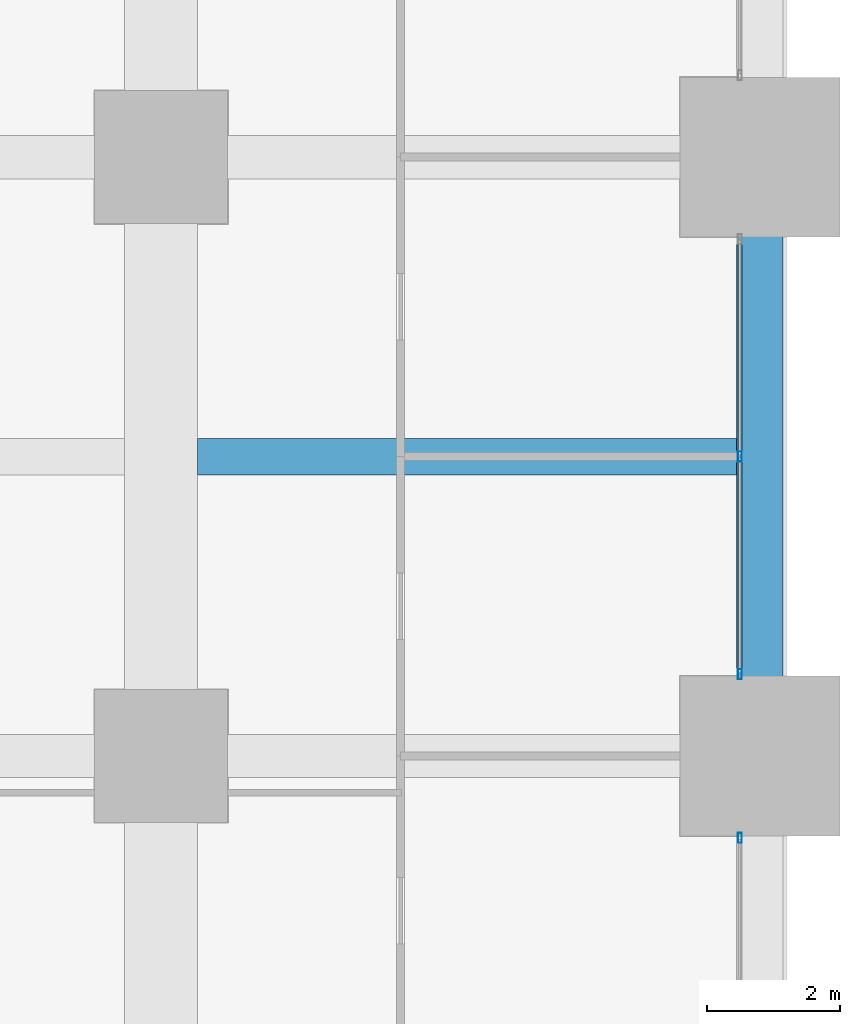
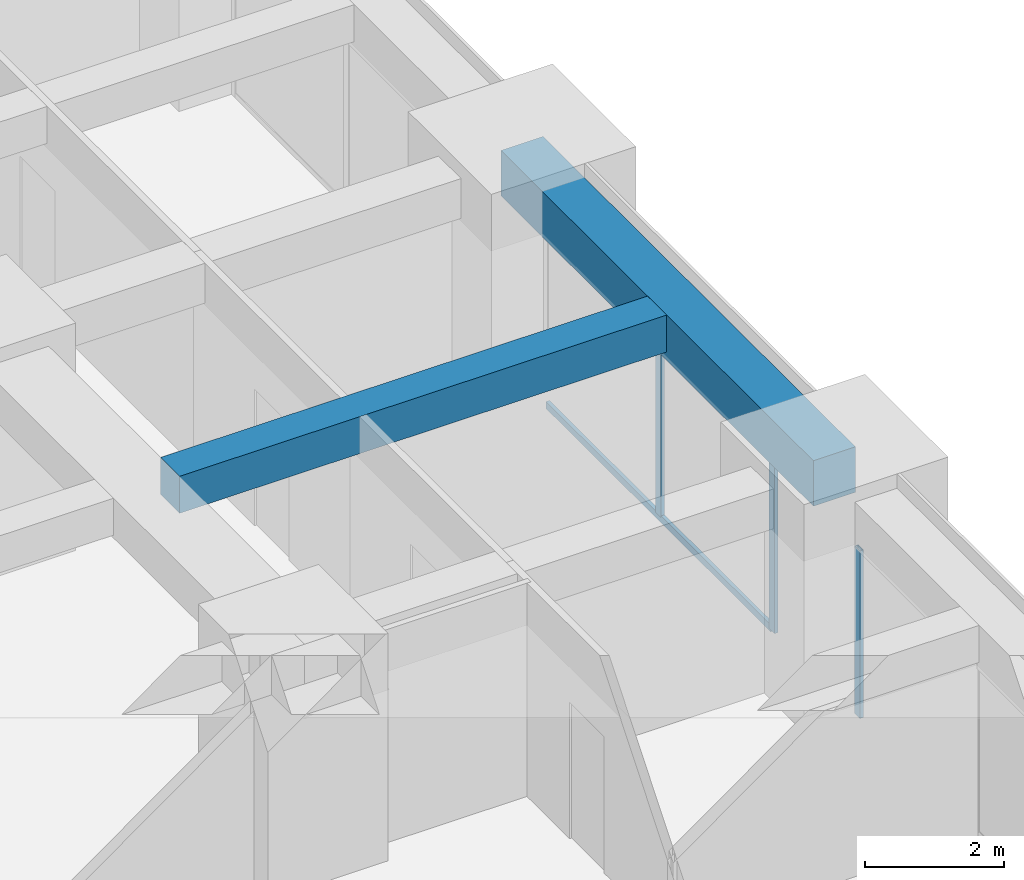
# One storey, part 21 of 41: 4 members, 2 beams, 2 elements without a shape of their own.
"""IFC4 building model written with IfcOpenShell, lengths in metres."""

from ifc_helpers import new_model, si_unit, direction, frame, origin, origin_2d, place, context, subcontext, project, spatial, rectangle, hollow_rectangle, extrude, material, material_profile, profile_set, type_object, element, aggregate, save


model = new_model("IFC4")

# Units and contexts
model_context = context("Model", 3, precision=1e-05, world=origin(), true_north=direction((0.0, 1.0)))
body_context = subcontext(model_context, "Body", "Model", "MODEL_VIEW")
ifc_project = project(units=[si_unit("LENGTHUNIT", "METRE"), si_unit("AREAUNIT", "SQUARE_METRE"), si_unit("VOLUMEUNIT", "CUBIC_METRE"), si_unit("PLANEANGLEUNIT", "RADIAN"), si_unit("MASSUNIT", "GRAM", prefix="KILO")], contexts=[model_context])

# Site, building, storey
site_placement = place(None, origin())
site = spatial("IfcSite", under=ifc_project, at=site_placement, CompositionType="ELEMENT")
building_placement = place(site_placement, origin())
building = spatial("IfcBuilding", under=site, at=building_placement, Name="Zorevar Civic Tower", CompositionType="ELEMENT")
storey_placement = place(building_placement, frame((0.0, 0.0, 109.0)))
storey = spatial("IfcBuildingStorey", under=building, at=storey_placement, Name="L26", CompositionType="ELEMENT", Elevation=109.0)

# Beam
ifc_material_1 = material(Name="Concrete C50/60", Category="concrete")
ifc_material_profile_1 = material_profile(ifc_material_1, rectangle(XDim=0.550048828125, YDim=0.64990234375, at=origin_2d()), Name="RC 550x650")
ifc_profile_set_1 = profile_set([ifc_material_profile_1], Name="Concrete C50/60")
beam_type_1 = type_object("IfcBeamType", Name="Beam RC 550x650", PredefinedType="BEAM", material=ifc_profile_set_1)
beam_1_placement = place(storey_placement, frame((54.550048828125, 22.5, 3.425048828125), z_axis=(1.0, 0.0, 0.0), x_axis=(0.0, 1.0, 0.0)))
element("IfcBeam", 1, at=beam_1_placement, inside=storey, type_object=beam_type_1, Name="Secondary beam L27", PredefinedType="BEAM", context=body_context, shape_type="SweptSolid", body=[
    extrude(rectangle(XDim=0.550048828125, YDim=0.64990234375, at=origin_2d()), origin(), (0.0, 0.0, 1.0), 8.099853515625),
])

# Curtain wall, member
ifc_material_2 = material(Name="Dark grey solar-control glass in black aluminium frame", Category="aluminium")
curtain_wall_type = type_object("IfcCurtainWallType", Name="Curtain wall CW3 mid zone", PredefinedType="NOTDEFINED", material=ifc_material_2)
curtain_wall_1_placement = place(storey_placement, origin())
curtain_wall_1 = element("IfcCurtainWall", 2, at=curtain_wall_1_placement, inside=storey, type_object=curtain_wall_type, Name="CW3 L26", PredefinedType="NOTDEFINED")
ifc_material_3 = material(Name="Aluminium, black anodised", Category="aluminium")
ifc_material_profile_2 = material_profile(ifc_material_3, hollow_rectangle(XDim=0.06005859375, YDim=0.14990234375, WallThickness=0.00390625, at=origin_2d()), Name="AL 150x60x4")
ifc_profile_set_2 = profile_set([ifc_material_profile_2], Name="Aluminium, black anodised")
member_type_1 = type_object("IfcMemberType", Name="CW3 mullion AL 150x60x4", PredefinedType="MULLION", material=ifc_profile_set_2)
member_1_placement = place(storey_placement, frame((62.699951171875, 16.77001953125, 0.0), z_axis=(0.0, 0.0, 1.0), x_axis=(-1.0, 0.0, 0.0)))
member_1 = element("IfcMember", 3, at=member_1_placement, type_object=member_type_1, Name="CW3 mullion 3", PredefinedType="MULLION", context=body_context, shape_type="SweptSolid", body=[
    extrude(hollow_rectangle(XDim=0.06005859375, YDim=0.14990234375, WallThickness=0.00390625, at=origin_2d()), origin(), (0.0, 0.0, 1.0), 2.949951171875),
])
aggregate(curtain_wall_1, [member_1])

# Curtain wall, members
curtain_wall_2_placement = place(storey_placement, origin())
curtain_wall_2 = element("IfcCurtainWall", 4, at=curtain_wall_2_placement, inside=storey, type_object=curtain_wall_type, Name="CW3 L26", PredefinedType="NOTDEFINED")
member_2_placement = place(storey_placement, frame((62.699951171875, 19.22998046875, 0.0), z_axis=(0.0, 0.0, 1.0), x_axis=(-1.0, 0.0, 0.0)))
member_2 = element("IfcMember", 5, at=member_2_placement, type_object=member_type_1, Name="CW3 mullion 1", PredefinedType="MULLION", context=body_context, shape_type="SweptSolid", body=[
    extrude(hollow_rectangle(XDim=0.06005859375, YDim=0.14990234375, WallThickness=0.00390625, at=origin_2d()), origin(), (0.0, 0.0, 1.0), 2.949951171875),
])
member_3_placement = place(storey_placement, frame((62.699951171875, 22.5, 0.06005859375), z_axis=(0.0, 0.0, 1.0), x_axis=(-1.0, 0.0, 0.0)))
member_3 = element("IfcMember", 6, at=member_3_placement, type_object=member_type_1, Name="CW3 mullion 2", PredefinedType="MULLION", context=body_context, shape_type="SweptSolid", body=[
    extrude(hollow_rectangle(XDim=0.06005859375, YDim=0.14990234375, WallThickness=0.00390625, at=origin_2d()), origin(), (0.0, 0.0, 1.0), 2.889892578125),
])
ifc_material_4 = material(Name="Aluminium, black anodised", Category="aluminium")
ifc_material_profile_3 = material_profile(ifc_material_4, hollow_rectangle(XDim=0.06005859375, YDim=0.1201171875, WallThickness=0.0029296875, at=origin_2d()), Name="AL 120x60x3")
ifc_profile_set_3 = profile_set([ifc_material_profile_3], Name="Aluminium, black anodised")
member_type_2 = type_object("IfcMemberType", Name="CW3 transom AL 120x60x3", PredefinedType="USERDEFINED", material=ifc_profile_set_3)
member_4_placement = place(storey_placement, frame((62.699951171875, 19.260009765625, 0.030029296875), z_axis=(0.0, 1.0, 0.0), x_axis=(-1.0, 0.0, 0.0)))
member_4 = element("IfcMember", 7, at=member_4_placement, type_object=member_type_2, Name="CW3 sill transom", ObjectType="TRANSOM", PredefinedType="USERDEFINED", context=body_context, shape_type="SweptSolid", body=[
    extrude(hollow_rectangle(XDim=0.06005859375, YDim=0.1201171875, WallThickness=0.0029296875, at=origin_2d()), origin(), (0.0, 0.0, 1.0), 6.47998046875),
])
aggregate(curtain_wall_2, [member_2, member_3, member_4])

# Beam
ifc_material_5 = material(Name="Concrete C50/60", Category="concrete")
ifc_material_profile_4 = material_profile(ifc_material_5, rectangle(XDim=0.699951171875, YDim=0.800048828125, at=origin_2d()), Name="RC 700x800")
ifc_profile_set_4 = profile_set([ifc_material_profile_4], Name="Concrete C50/60")
beam_type_2 = type_object("IfcBeamType", Name="Edge beam RC 700x800", PredefinedType="SPANDREL", material=ifc_profile_set_4)
beam_2_placement = place(storey_placement, frame((63.0, 18.0, 3.35009765625), z_axis=(0.0, 1.0, 0.0), x_axis=(-1.0, 0.0, 0.0)))
element("IfcBeam", 8, at=beam_2_placement, inside=storey, type_object=beam_type_2, Name="Edge beam L27", PredefinedType="SPANDREL", context=body_context, shape_type="SweptSolid", body=[
    extrude(rectangle(XDim=0.699951171875, YDim=0.800048828125, at=origin_2d()), origin(), (0.0, 0.0, 1.0), 9.0),
])

save(model, "model.ifc")
